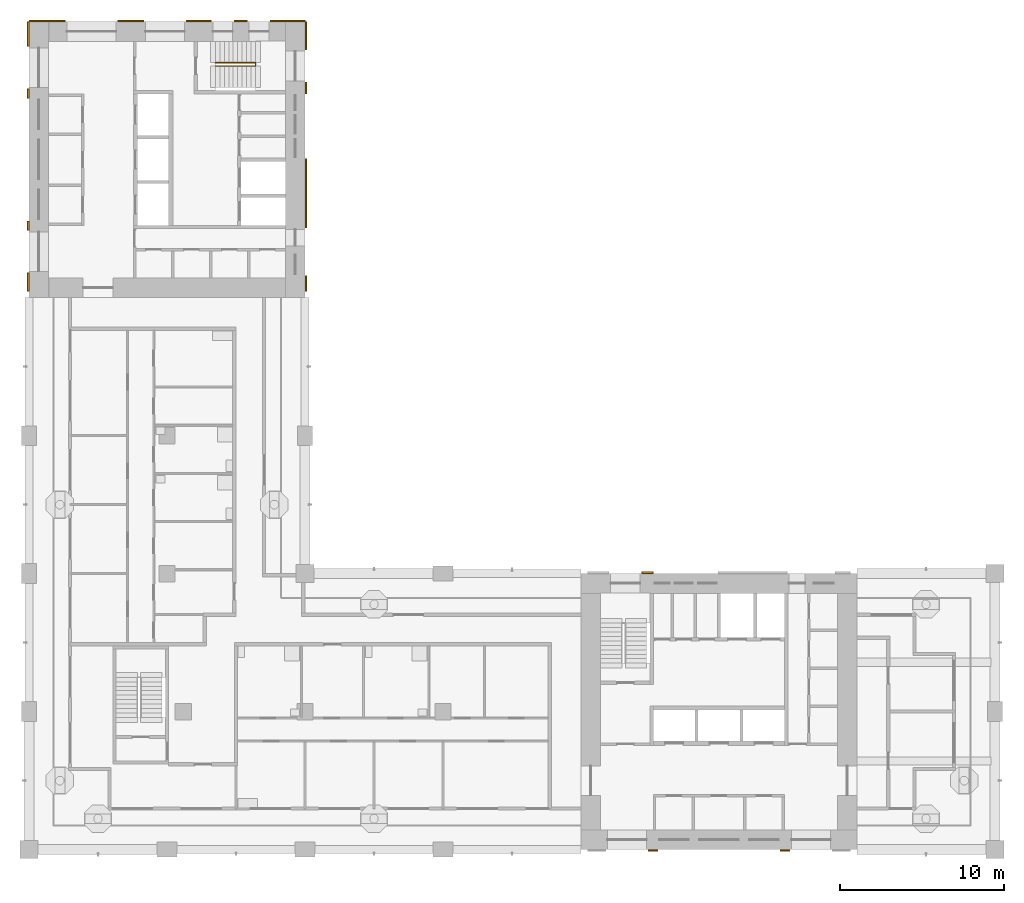
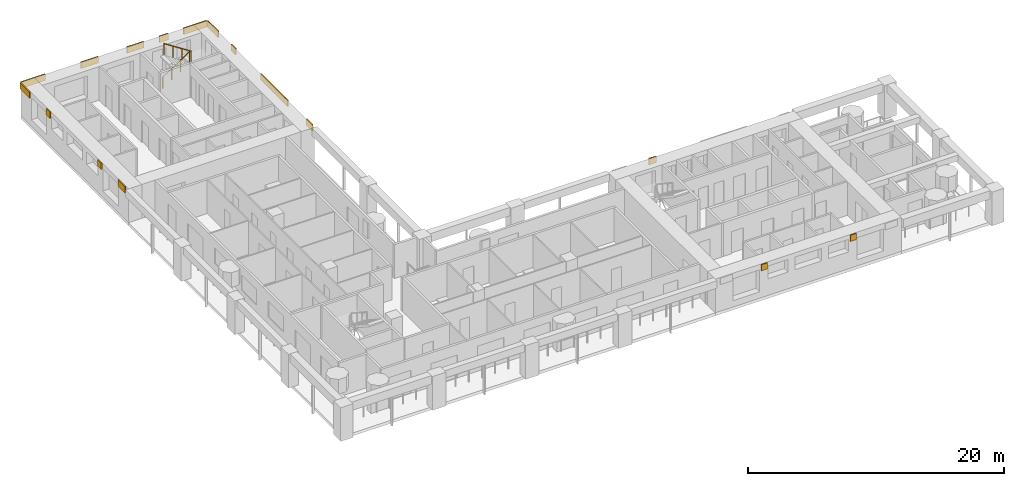
# One storey, part 10 of 13: 16 shading devices, 1 railing.
"""IFC4 building model written with IfcOpenShell, lengths in metres."""

from ifc_helpers import new_model, si_unit, direction, frame, origin, origin_2d, place, context, subcontext, project, spatial, rectangle, circle, extrude, material, layer, layer_set, type_object, element, save


model = new_model("IFC4")

# Units and contexts
model_context = context("Model", 3, precision=1e-05, world=origin(), true_north=direction((0.0, 1.0)))
body_context = subcontext(model_context, "Body", "Model", "MODEL_VIEW")
ifc_project = project(units=[si_unit("LENGTHUNIT", "METRE"), si_unit("AREAUNIT", "SQUARE_METRE"), si_unit("VOLUMEUNIT", "CUBIC_METRE"), si_unit("PLANEANGLEUNIT", "RADIAN"), si_unit("MASSUNIT", "GRAM", prefix="KILO")], contexts=[model_context])

# Site, building, storey
site_placement = place(None, origin())
site = spatial("IfcSite", under=ifc_project, at=site_placement, CompositionType="ELEMENT")
building_placement = place(site_placement, origin())
building = spatial("IfcBuilding", under=site, at=building_placement, Name="Vermilion Gate Residences", CompositionType="ELEMENT")
storey_placement = place(building_placement, frame((0.0, 0.0, 165.199951171875)))
storey = spatial("IfcBuildingStorey", under=building, at=storey_placement, Name="L42", CompositionType="ELEMENT", Elevation=165.199951171875)

# Railing
ifc_material_1 = material(Name="Steel S355", Category="steel")
railing_type = type_object("IfcRailingType", Name="STAIR GUARD 1100 STEEL", PredefinedType="GUARDRAIL", material=ifc_material_1)
railing_placement = place(storey_placement, frame((19.75, 56.300048828125, 0.175048828125)))
element("IfcRailing", 1, at=railing_placement, inside=storey, type_object=railing_type, Name="Stair well guard STB1-42", PredefinedType="GUARDRAIL", context=body_context, shape_type="SweptSolid", body=[
    extrude(circle(Radius=0.02392578125, at=origin_2d()), frame((0.0, 0.0, 1.076171875), z_axis=(0.839153699163, 0.0, 0.543894354798), x_axis=(0.0, 1.0, 0.0)), (0.0, 0.0, 1.0), 2.895751953125),
    extrude(circle(Radius=0.02392578125, at=origin_2d()), frame((2.429931640625, 0.0, 2.65087890625), z_axis=(0.0, -0.752405939678, 0.658699705433), x_axis=(1.0, 0.0, 0.0)), (0.0, 0.0, 1.0), 0.265869140625),
    extrude(circle(Radius=0.02392578125, at=origin_2d()), frame((2.429931640625, -0.199951171875, 2.826171875), z_axis=(-0.839153699163, 0.0, 0.543894354798), x_axis=(0.0, -1.0, 0.0)), (0.0, 0.0, 1.0), 2.895751953125),
    extrude(circle(Radius=0.02099609375, at=origin_2d()), origin(), (0.0, 0.0, 1.0), 1.052001953125),
    extrude(circle(Radius=0.02099609375, at=origin_2d()), frame((0.81005859375, 0.0, 0.52490234375)), (0.0, 0.0, 1.0), 1.052001953125),
    extrude(circle(Radius=0.02099609375, at=origin_2d()), frame((1.619873046875, 0.0, 1.050048828125)), (0.0, 0.0, 1.0), 1.052001953125),
    extrude(circle(Radius=0.02099609375, at=origin_2d()), frame((2.429931640625, 0.0, 1.574951171875)), (0.0, 0.0, 1.0), 1.052001953125),
    extrude(circle(Radius=0.02099609375, at=origin_2d()), frame((2.429931640625, -0.199951171875, 1.75)), (0.0, 0.0, 1.0), 1.052001953125),
    extrude(circle(Radius=0.02099609375, at=origin_2d()), frame((1.619873046875, -0.199951171875, 2.27490234375)), (0.0, 0.0, 1.0), 1.052001953125),
    extrude(circle(Radius=0.02099609375, at=origin_2d()), frame((0.81005859375, -0.199951171875, 2.800048828125)), (0.0, 0.0, 1.0), 1.052001953125),
    extrude(circle(Radius=0.02099609375, at=origin_2d()), frame((0.0, -0.199951171875, 3.324951171875)), (0.0, 0.0, 1.0), 1.052001953125),
])

# Shading devices
ifc_material_2 = material(Name="Extruded terracotta", Category="masonry")
ifc_layer = layer(ifc_material_2, 0.10009765625)
ifc_layer_set = layer_set([ifc_layer], Name="TERRACOTTA SPANDREL BAND 600 X 100")
shading_device_type = type_object("IfcShadingDeviceType", Name="TERRACOTTA SPANDREL BAND 600 X 100", PredefinedType="USERDEFINED", material=ifc_layer_set)
for number, where, z_axis, x_axis, name in (
    (2, (46.3798828125, 8.35009765625, 2.6201171875), (0.0, 0.0, 1.0), (1.0, 0.0, 0.0), "SPANDREL BAND"),
    (3, (54.419921875, 8.35009765625, 2.6201171875), (0.0, 0.0, 1.0), (1.0, 0.0, 0.0), "SPANDREL BAND"),
):
    element("IfcShadingDevice", number, at=place(storey_placement, frame(where, z_axis=z_axis, x_axis=x_axis)), inside=storey, type_object=shading_device_type, Name=name, ObjectType="BAND", PredefinedType="USERDEFINED", context=body_context, shape_type="SweptSolid", body=[
        extrude(rectangle(XDim=0.56005859375, YDim=0.10009765625, at=origin_2d()), origin(), (0.0, 0.0, 1.0), 0.60009765625),
    ])
shading_device_1_placement = place(storey_placement, frame((46.044921875, 25.25, 2.6201171875), z_axis=(0.0, 0.0, 1.0), x_axis=(1.0, 0.0, 0.0)))
element("IfcShadingDevice", 4, at=shading_device_1_placement, inside=storey, type_object=shading_device_type, Name="SPANDREL BAND", ObjectType="BAND", PredefinedType="USERDEFINED", context=body_context, shape_type="SweptSolid", body=[
    extrude(rectangle(XDim=0.68994140625, YDim=0.10009765625, at=origin_2d()), origin(), (0.0, 0.0, 1.0), 0.60009765625),
])
shading_device_2_placement = place(storey_placement, frame((9.50244140625, 58.85009765625, 2.6201171875), z_axis=(0.0, 0.0, 1.0), x_axis=(1.0, 0.0, 0.0)))
element("IfcShadingDevice", 5, at=shading_device_2_placement, inside=storey, type_object=shading_device_type, Name="SPANDREL BAND", ObjectType="BAND", PredefinedType="USERDEFINED", context=body_context, shape_type="SweptSolid", body=[
    extrude(rectangle(XDim=2.205078125, YDim=0.10009765625, at=origin_2d()), origin(), (0.0, 0.0, 1.0), 0.60009765625),
])
shading_device_3_placement = place(storey_placement, frame((14.590087890625, 58.85009765625, 2.6201171875), z_axis=(0.0, 0.0, 1.0), x_axis=(1.0, 0.0, 0.0)))
element("IfcShadingDevice", 6, at=shading_device_3_placement, inside=storey, type_object=shading_device_type, Name="SPANDREL BAND", ObjectType="BAND", PredefinedType="USERDEFINED", context=body_context, shape_type="SweptSolid", body=[
    extrude(rectangle(XDim=1.570068359375, YDim=0.10009765625, at=origin_2d()), origin(), (0.0, 0.0, 1.0), 0.60009765625),
])
shading_device_4_placement = place(storey_placement, frame((18.734130859375, 58.85009765625, 2.6201171875), z_axis=(0.0, 0.0, 1.0), x_axis=(1.0, 0.0, 0.0)))
element("IfcShadingDevice", 7, at=shading_device_4_placement, inside=storey, type_object=shading_device_type, Name="SPANDREL BAND", ObjectType="BAND", PredefinedType="USERDEFINED", context=body_context, shape_type="SweptSolid", body=[
    extrude(rectangle(XDim=1.518310546875, YDim=0.10009765625, at=origin_2d()), origin(), (0.0, 0.0, 1.0), 0.60009765625),
])
shading_device_5_placement = place(storey_placement, frame((21.294921875, 58.85009765625, 2.6201171875), z_axis=(0.0, 0.0, 1.0), x_axis=(1.0, 0.0, 0.0)))
element("IfcShadingDevice", 8, at=shading_device_5_placement, inside=storey, type_object=shading_device_type, Name="SPANDREL BAND", ObjectType="BAND", PredefinedType="USERDEFINED", context=body_context, shape_type="SweptSolid", body=[
    extrude(rectangle(XDim=0.803466796875, YDim=0.10009765625, at=origin_2d()), origin(), (0.0, 0.0, 1.0), 0.60009765625),
])
shading_device_6_placement = place(storey_placement, frame((24.1484375, 58.85009765625, 2.6201171875), z_axis=(0.0, 0.0, 1.0), x_axis=(1.0, 0.0, 0.0)))
element("IfcShadingDevice", 9, at=shading_device_6_placement, inside=storey, type_object=shading_device_type, Name="SPANDREL BAND", ObjectType="BAND", PredefinedType="USERDEFINED", context=body_context, shape_type="SweptSolid", body=[
    extrude(rectangle(XDim=2.103271484375, YDim=0.10009765625, at=origin_2d()), origin(), (0.0, 0.0, 1.0), 0.60009765625),
])
shading_device_7_placement = place(storey_placement, frame((8.35009765625, 42.949951171875, 2.6201171875), z_axis=(0.0, 0.0, 1.0), x_axis=(0.0, 1.0, 0.0)))
element("IfcShadingDevice", 10, at=shading_device_7_placement, inside=storey, type_object=shading_device_type, Name="SPANDREL BAND", ObjectType="BAND", PredefinedType="USERDEFINED", context=body_context, shape_type="SweptSolid", body=[
    extrude(rectangle(XDim=1.10009765625, YDim=0.10009765625, at=origin_2d()), origin(), (0.0, 0.0, 1.0), 0.60009765625),
])
for number, where, z_axis, x_axis, name in (
    (11, (8.35009765625, 46.3798828125, 2.6201171875), (0.0, 0.0, 1.0), (0.0, 1.0, 0.0), "SPANDREL BAND"),
    (12, (8.35009765625, 54.419921875, 2.6201171875), (0.0, 0.0, 1.0), (0.0, 1.0, 0.0), "SPANDREL BAND"),
):
    element("IfcShadingDevice", number, at=place(storey_placement, frame(where, z_axis=z_axis, x_axis=x_axis)), inside=storey, type_object=shading_device_type, Name=name, ObjectType="BAND", PredefinedType="USERDEFINED", context=body_context, shape_type="SweptSolid", body=[
        extrude(rectangle(XDim=0.56005859375, YDim=0.10009765625, at=origin_2d()), origin(), (0.0, 0.0, 1.0), 0.60009765625),
    ])
shading_device_8_placement = place(storey_placement, frame((8.35009765625, 58.050048828125, 2.6201171875), z_axis=(0.0, 0.0, 1.0), x_axis=(0.0, 1.0, 0.0)))
element("IfcShadingDevice", 13, at=shading_device_8_placement, inside=storey, type_object=shading_device_type, Name="SPANDREL BAND", ObjectType="BAND", PredefinedType="USERDEFINED", context=body_context, shape_type="SweptSolid", body=[
    extrude(rectangle(XDim=1.5, YDim=0.10009765625, at=origin_2d()), origin(), (0.0, 0.0, 1.0), 0.60009765625),
])
shading_device_9_placement = place(storey_placement, frame((25.25, 42.862548828125, 2.6201171875), z_axis=(0.0, 0.0, 1.0), x_axis=(0.0, 1.0, 0.0)))
element("IfcShadingDevice", 14, at=shading_device_9_placement, inside=storey, type_object=shading_device_type, Name="SPANDREL BAND", ObjectType="BAND", PredefinedType="USERDEFINED", context=body_context, shape_type="SweptSolid", body=[
    extrude(rectangle(XDim=0.925048828125, YDim=0.10009765625, at=origin_2d()), origin(), (0.0, 0.0, 1.0), 0.60009765625),
])
shading_device_10_placement = place(storey_placement, frame((25.25, 48.35009765625, 2.6201171875), z_axis=(0.0, 0.0, 1.0), x_axis=(0.0, 1.0, 0.0)))
element("IfcShadingDevice", 15, at=shading_device_10_placement, inside=storey, type_object=shading_device_type, Name="SPANDREL BAND", ObjectType="BAND", PredefinedType="USERDEFINED", context=body_context, shape_type="SweptSolid", body=[
    extrude(rectangle(XDim=4.199951171875, YDim=0.10009765625, at=origin_2d()), origin(), (0.0, 0.0, 1.0), 0.60009765625),
])
shading_device_11_placement = place(storey_placement, frame((25.25, 54.7548828125, 2.6201171875), z_axis=(0.0, 0.0, 1.0), x_axis=(0.0, 1.0, 0.0)))
element("IfcShadingDevice", 16, at=shading_device_11_placement, inside=storey, type_object=shading_device_type, Name="SPANDREL BAND", ObjectType="BAND", PredefinedType="USERDEFINED", context=body_context, shape_type="SweptSolid", body=[
    extrude(rectangle(XDim=0.68994140625, YDim=0.10009765625, at=origin_2d()), origin(), (0.0, 0.0, 1.0), 0.60009765625),
])
shading_device_12_placement = place(storey_placement, frame((25.25, 57.949951171875, 2.6201171875), z_axis=(0.0, 0.0, 1.0), x_axis=(0.0, 1.0, 0.0)))
element("IfcShadingDevice", 17, at=shading_device_12_placement, inside=storey, type_object=shading_device_type, Name="SPANDREL BAND", ObjectType="BAND", PredefinedType="USERDEFINED", context=body_context, shape_type="SweptSolid", body=[
    extrude(rectangle(XDim=1.699951171875, YDim=0.10009765625, at=origin_2d()), origin(), (0.0, 0.0, 1.0), 0.60009765625),
])

save(model, "model.ifc")
